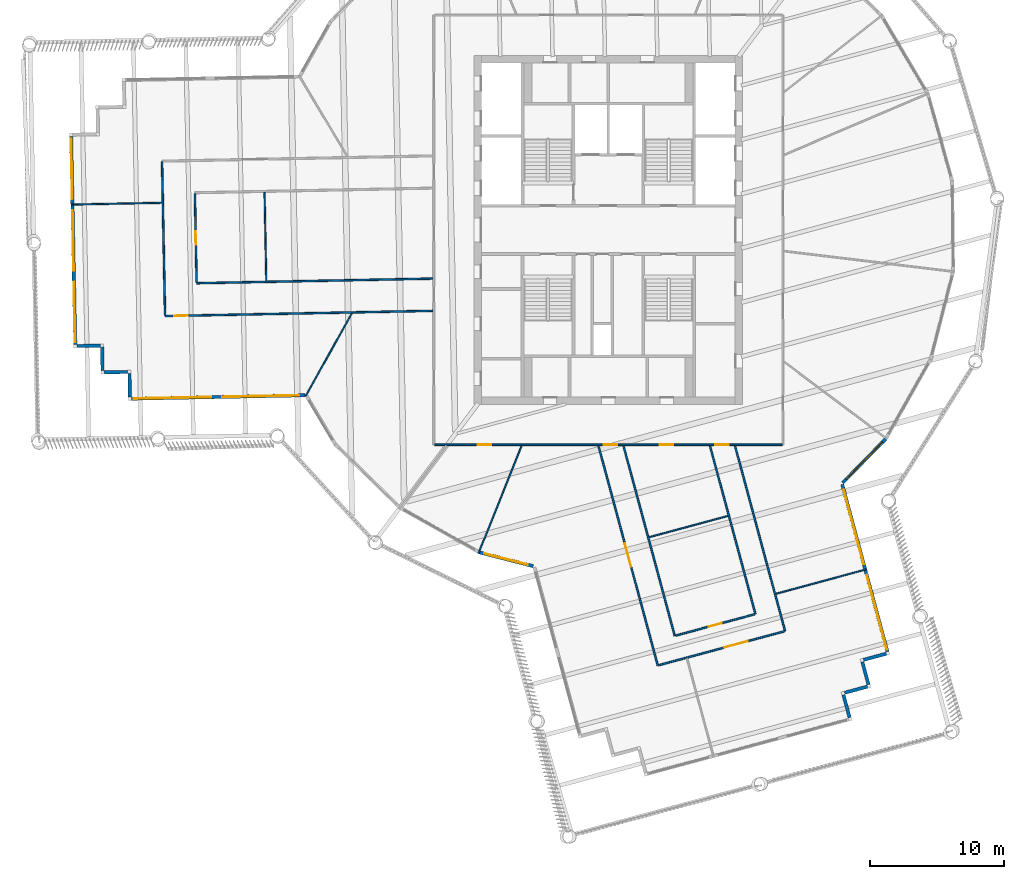
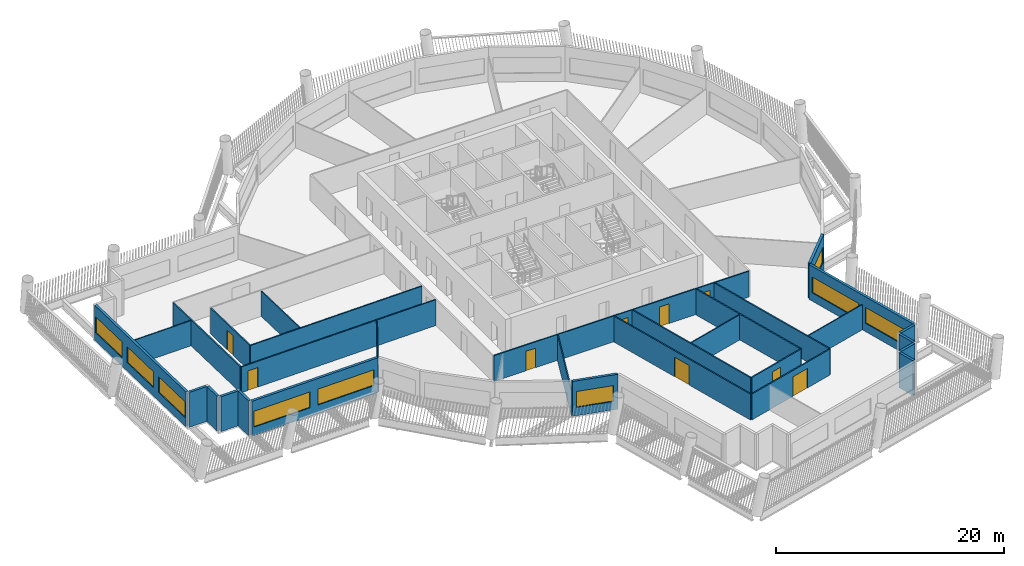
# One storey, part 3 of 15: 30 walls, 9 doors, 9 windows, 18 openings.
"""IFC4 building model written with IfcOpenShell, lengths in metres."""

from ifc_helpers import new_model, si_unit, direction, frame, frame_2d, origin, place, context, subcontext, project, spatial, rectangle, extrude, material, layer, layer_set, type_object, element, fill, save


model = new_model("IFC4")

# Units and contexts
model_context = context("Model", 3, precision=1e-05, world=origin(), true_north=direction((0.0, 1.0)))
body_context = subcontext(model_context, "Body", "Model", "MODEL_VIEW")
ifc_project = project(units=[si_unit("LENGTHUNIT", "METRE"), si_unit("AREAUNIT", "SQUARE_METRE"), si_unit("VOLUMEUNIT", "CUBIC_METRE"), si_unit("PLANEANGLEUNIT", "RADIAN"), si_unit("MASSUNIT", "GRAM", prefix="KILO")], contexts=[model_context])

# Site, building, storey
site_placement = place(None, origin())
site = spatial("IfcSite", under=ifc_project, at=site_placement, CompositionType="ELEMENT")
building_placement = place(site_placement, origin())
building = spatial("IfcBuilding", under=site, at=building_placement, Name="Tarsis Ring Headquarters", CompositionType="ELEMENT")
storey_placement = place(building_placement, frame((0.0, 0.0, 290.300048828125)))
storey = spatial("IfcBuildingStorey", under=building, at=storey_placement, Name="L68", CompositionType="ELEMENT", Elevation=290.300048828125)

# Walls
ifc_material_1 = material(Name="Gypsum board on steel studs", Category="steel")
ifc_layer_1 = layer(ifc_material_1, 0.10009765625)
ifc_layer_set_1 = layer_set([ifc_layer_1], Name="FL partition 100 unrated")
wall_type_1 = type_object("IfcWallType", Name="FL partition 100 unrated", PredefinedType="PARTITIONING", material=ifc_layer_set_1)
wall_1_placement = place(storey_placement, frame((-9.669921875, -24.07861328125, 0.0), z_axis=(0.0, 0.0, 1.0), x_axis=(0.372673744241, 0.927962434775, 0.0)))
element("IfcWall", 1, at=wall_1_placement, inside=storey, type_object=wall_type_1, Name="Partition PW3", PredefinedType="PARTITIONING", context=body_context, shape_type="SweptSolid", body=[
    extrude(rectangle(XDim=8.625732421875, YDim=0.10009765625, at=frame_2d((4.31298828125, 0.0))), origin(), (0.0, 0.0, 1.0), 2.699951171875),
])
wall_2_placement = place(storey_placement, frame((-22.541748046875, -12.367919921875, 0.0), z_axis=(0.0, 0.0, 1.0), x_axis=(0.486786174792, 0.873521161754, 0.0)))
element("IfcWall", 2, at=wall_2_placement, inside=storey, type_object=wall_type_1, Name="Partition PW3", PredefinedType="PARTITIONING", context=body_context, shape_type="SweptSolid", body=[
    extrude(rectangle(XDim=7.032470703125, YDim=0.10009765625, at=frame_2d((3.51611328125, 0.0))), origin(), (0.0, 0.0, 1.0), 2.699951171875),
])
wall_3_placement = place(storey_placement, frame((12.481689453125, -27.1025390625, 0.0), z_axis=(0.0, 0.0, 1.0), x_axis=(0.965377936946, 0.260855206692, 0.0)))
element("IfcWall", 3, at=wall_3_placement, inside=storey, type_object=wall_type_1, Name="Partition PW3", PredefinedType="PARTITIONING", context=body_context, shape_type="SweptSolid", body=[
    extrude(rectangle(XDim=6.9697265625, YDim=0.10009765625, at=frame_2d((3.48486328125, 0.0))), origin(), (0.0, 0.0, 1.0), 2.699951171875),
])
wall_4_placement = place(storey_placement, frame((-25.609619140625, 2.800048828125, 0.0), z_axis=(0.0, 0.0, 1.0), x_axis=(0.01953084785, -0.999809254799, 0.0)))
element("IfcWall", 4, at=wall_4_placement, inside=storey, type_object=wall_type_1, Name="Partition PW3", PredefinedType="PARTITIONING", context=body_context, shape_type="SweptSolid", body=[
    extrude(rectangle(XDim=6.60009765625, YDim=0.10009765625, at=frame_2d((3.300048828125, 0.0))), origin(), (0.0, 0.0, 1.0), 2.699951171875),
])
wall_5_placement = place(storey_placement, frame((-39.99462890625, 1.888671875, 0.0), z_axis=(0.0, 0.0, 1.0), x_axis=(0.999808683787, 0.019560056853, 0.0)))
element("IfcWall", 5, at=wall_5_placement, inside=storey, type_object=wall_type_1, Name="Partition PW3", PredefinedType="PARTITIONING", context=body_context, shape_type="SweptSolid", body=[
    extrude(rectangle(XDim=6.739990234375, YDim=0.10009765625, at=frame_2d((3.3701171875, 0.0))), origin(), (0.0, 0.0, 1.0), 2.699951171875),
])
wall_6_placement = place(storey_placement, frame((3.035888671875, -22.890380859375, 0.0), z_axis=(0.0, 0.0, 1.0), x_axis=(0.965392088426, 0.26080282898, 0.0)))
element("IfcWall", 6, at=wall_6_placement, inside=storey, type_object=wall_type_1, Name="Partition PW3", PredefinedType="PARTITIONING", context=body_context, shape_type="SweptSolid", body=[
    extrude(rectangle(XDim=6.080078125, YDim=0.10009765625, at=frame_2d((3.0400390625, 0.0))), origin(), (0.0, 0.0, 1.0), 2.699951171875),
])

# Wall, openings, doors
ifc_layer_2 = layer(ifc_material_1, 0.125)
ifc_layer_set_2 = layer_set([ifc_layer_2], Name="FL partition 125 EI 60 H2770")
wall_type_2 = type_object("IfcWallType", Name="FL partition 125 EI 60 H2770", PredefinedType="PARTITIONING", material=ifc_layer_set_2)
wall_7_placement = place(storey_placement, frame((-12.93994140625, -16.0, 0.0), z_axis=(0.0, 0.0, 1.0), x_axis=(1.0, 0.0, 0.0)))
wall_7 = element("IfcWall", 7, at=wall_7_placement, inside=storey, type_object=wall_type_2, Name="Partition PW1", PredefinedType="PARTITIONING", context=body_context, shape_type="SweptSolid", body=[
    extrude(rectangle(XDim=25.8798828125, YDim=0.125, at=frame_2d((12.93994140625, 0.0))), origin(), (0.0, 0.0, 1.0), 2.77001953125),
])
opening_1_placement = place(wall_7_placement, frame((3.22509765625, 0.0, 0.0)))
opening_1 = element("IfcOpeningElement", 8, at=opening_1_placement, cuts=wall_7, Name="Opening D68.13", PredefinedType="OPENING", context=body_context, shape_type="SweptSolid", body=[
    extrude(rectangle(XDim=1.0, YDim=2.10009765625, at=frame_2d((0.5, 1.050048828125))), frame((0.0, 0.072509765625, 0.0), z_axis=(0.0, -1.0, 0.0), x_axis=(1.0, 0.0, 0.0)), (0.0, 0.0, 1.0), 0.14501953125),
])
opening_2_placement = place(wall_7_placement, frame((16.76318359375, 0.0, 0.0)))
opening_2 = element("IfcOpeningElement", 9, at=opening_2_placement, cuts=wall_7, Name="Opening D68.17", PredefinedType="OPENING", context=body_context, shape_type="SweptSolid", body=[
    extrude(rectangle(XDim=1.0, YDim=2.10009765625, at=frame_2d((0.5, 1.050048828125))), frame((0.0, 0.072509765625, 0.0), z_axis=(0.0, -1.0, 0.0), x_axis=(1.0, 0.0, 0.0)), (0.0, 0.0, 1.0), 0.14501953125),
])
opening_3_placement = place(wall_7_placement, frame((12.609375, 0.0, 0.0)))
opening_3 = element("IfcOpeningElement", 10, at=opening_3_placement, cuts=wall_7, Name="Opening D68.19", PredefinedType="OPENING", context=body_context, shape_type="SweptSolid", body=[
    extrude(rectangle(XDim=1.0, YDim=2.10009765625, at=frame_2d((0.5, 1.050048828125))), frame((0.0, 0.072509765625, 0.0), z_axis=(0.0, -1.0, 0.0), x_axis=(1.0, 0.0, 0.0)), (0.0, 0.0, 1.0), 0.14501953125),
])
opening_4_placement = place(wall_7_placement, frame((20.9169921875, 0.0, 0.0)))
opening_4 = element("IfcOpeningElement", 11, at=opening_4_placement, cuts=wall_7, Name="Opening D68.20", PredefinedType="OPENING", context=body_context, shape_type="SweptSolid", body=[
    extrude(rectangle(XDim=1.0, YDim=2.10009765625, at=frame_2d((0.5, 1.050048828125))), frame((0.0, 0.072509765625, 0.0), z_axis=(0.0, -1.0, 0.0), x_axis=(1.0, 0.0, 0.0)), (0.0, 0.0, 1.0), 0.14501953125),
])
ifc_material_2 = material(Name="Fire-rated timber door leaf in steel frame", Category="steel")
door_type_1 = type_object("IfcDoorType", Name="FL door FD60-1000", OperationType="NOTDEFINED", PredefinedType="DOOR", material=ifc_material_2)
door_1_placement = place(opening_1_placement, origin())
door_1 = element("IfcDoor", 12, at=door_1_placement, inside=storey, type_object=door_type_1, Name="Door D68.13", OperationType="SINGLE_SWING_LEFT", OverallHeight=2.10009765625, OverallWidth=1.0, PredefinedType="DOOR", context=body_context, shape_type="SweptSolid", body=[
    extrude(rectangle(XDim=1.0, YDim=2.10009765625, at=frame_2d((0.5, 1.050048828125))), frame((0.0, 0.02490234375, 0.0), z_axis=(0.0, -1.0, 0.0), x_axis=(1.0, 0.0, 0.0)), (0.0, 0.0, 1.0), 0.050048828125),
])
fill(opening_1, door_1)
door_2_placement = place(opening_2_placement, origin())
door_2 = element("IfcDoor", 13, at=door_2_placement, inside=storey, type_object=door_type_1, Name="Door D68.17", OperationType="SINGLE_SWING_LEFT", OverallHeight=2.10009765625, OverallWidth=1.0, PredefinedType="DOOR", context=body_context, shape_type="SweptSolid", body=[
    extrude(rectangle(XDim=1.0, YDim=2.10009765625, at=frame_2d((0.5, 1.050048828125))), frame((0.0, 0.02490234375, 0.0), z_axis=(0.0, -1.0, 0.0), x_axis=(1.0, 0.0, 0.0)), (0.0, 0.0, 1.0), 0.050048828125),
])
fill(opening_2, door_2)
door_3_placement = place(opening_3_placement, origin())
door_3 = element("IfcDoor", 14, at=door_3_placement, inside=storey, type_object=door_type_1, Name="Door D68.19", OperationType="SINGLE_SWING_LEFT", OverallHeight=2.10009765625, OverallWidth=1.0, PredefinedType="DOOR", context=body_context, shape_type="SweptSolid", body=[
    extrude(rectangle(XDim=1.0, YDim=2.10009765625, at=frame_2d((0.5, 1.050048828125))), frame((0.0, 0.02490234375, 0.0), z_axis=(0.0, -1.0, 0.0), x_axis=(1.0, 0.0, 0.0)), (0.0, 0.0, 1.0), 0.050048828125),
])
fill(opening_3, door_3)
door_4_placement = place(opening_4_placement, origin())
door_4 = element("IfcDoor", 15, at=door_4_placement, inside=storey, type_object=door_type_1, Name="Door D68.20", OperationType="SINGLE_SWING_RIGHT", OverallHeight=2.10009765625, OverallWidth=1.0, PredefinedType="DOOR", context=body_context, shape_type="SweptSolid", body=[
    extrude(rectangle(XDim=1.0, YDim=2.10009765625, at=frame_2d((0.5, 1.050048828125))), frame((0.0, 0.02490234375, 0.0), z_axis=(0.0, -1.0, 0.0), x_axis=(1.0, 0.0, 0.0)), (0.0, 0.0, 1.0), 0.050048828125),
])
fill(opening_4, door_4)

# Wall, opening, door
wall_8_placement = place(storey_placement, frame((-33.02099609375, -6.416748046875, 0.0), z_axis=(0.0, 0.0, 1.0), x_axis=(0.999808859404, 0.019551078174, 0.0)))
wall_8 = element("IfcWall", 16, at=wall_8_placement, inside=storey, type_object=wall_type_2, Name="Partition PW1", PredefinedType="PARTITIONING", context=body_context, shape_type="SweptSolid", body=[
    extrude(rectangle(XDim=19.954833984375, YDim=0.125, at=frame_2d((9.9775390625, 0.0))), origin(), (0.0, 0.0, 1.0), 2.77001953125),
])
opening_5_placement = place(wall_8_placement, frame((0.699951171875, 0.0, 0.0)))
opening_5 = element("IfcOpeningElement", 17, at=opening_5_placement, cuts=wall_8, Name="Opening D68.01", PredefinedType="OPENING", context=body_context, shape_type="SweptSolid", body=[
    extrude(rectangle(XDim=1.0, YDim=2.10009765625, at=frame_2d((0.5, 1.050048828125))), frame((0.0, 0.072509765625, 0.0), z_axis=(0.0, -1.0, 0.0), x_axis=(1.0, 0.0, 0.0)), (0.0, 0.0, 1.0), 0.14501953125),
])
door_5_placement = place(opening_5_placement, origin())
door_5 = element("IfcDoor", 18, at=door_5_placement, inside=storey, type_object=door_type_1, Name="Door D68.01", OperationType="SINGLE_SWING_LEFT", OverallHeight=2.10009765625, OverallWidth=1.0, PredefinedType="DOOR", context=body_context, shape_type="SweptSolid", body=[
    extrude(rectangle(XDim=1.0, YDim=2.10009765625, at=frame_2d((0.5, 1.050048828125))), frame((0.0, 0.02490234375, 0.0), z_axis=(0.0, -1.0, 0.0), x_axis=(1.0, 0.0, 0.0)), (0.0, 0.0, 1.0), 0.050048828125),
])
fill(opening_5, door_5)

# Wall
wall_9_placement = place(storey_placement, frame((-30.668212890625, -3.97021484375, 0.0), z_axis=(0.0, 0.0, 1.0), x_axis=(0.999809008561, 0.019543449031, 0.0)))
element("IfcWall", 19, at=wall_9_placement, inside=storey, type_object=wall_type_2, Name="Partition PW1", PredefinedType="PARTITIONING", context=body_context, shape_type="SweptSolid", body=[
    extrude(rectangle(XDim=17.6015625, YDim=0.125, at=frame_2d((8.80078125, 0.0))), origin(), (0.0, 0.0, 1.0), 2.77001953125),
])

# Wall, opening, door
wall_10_placement = place(storey_placement, frame((-0.7421875, -16.0771484375, 0.0), z_axis=(0.0, 0.0, 1.0), x_axis=(0.260844097814, -0.965380938612, 0.0)))
wall_10 = element("IfcWall", 20, at=wall_10_placement, inside=storey, type_object=wall_type_2, Name="Partition PW1", PredefinedType="PARTITIONING", context=body_context, shape_type="SweptSolid", body=[
    extrude(rectangle(XDim=16.953125, YDim=0.125, at=frame_2d((8.4765625, 0.0))), origin(), (0.0, 0.0, 1.0), 2.77001953125),
])
opening_6_placement = place(wall_10_placement, frame((7.53662109375, 0.0, 0.0)))
opening_6 = element("IfcOpeningElement", 21, at=opening_6_placement, cuts=wall_10, Name="Opening D68.12", PredefinedType="OPENING", context=body_context, shape_type="SweptSolid", body=[
    extrude(rectangle(XDim=1.800048828125, YDim=2.10009765625, at=frame_2d((0.89990234375, 1.050048828125))), frame((0.0, 0.072509765625, 0.0), z_axis=(0.0, -1.0, 0.0), x_axis=(1.0, 0.0, 0.0)), (0.0, 0.0, 1.0), 0.14501953125),
])
door_type_2 = type_object("IfcDoorType", Name="FL door FD60-1800", OperationType="DOUBLE_DOOR_SINGLE_SWING", PredefinedType="DOOR", material=ifc_material_2)
door_6_placement = place(opening_6_placement, origin())
door_6 = element("IfcDoor", 22, at=door_6_placement, inside=storey, type_object=door_type_2, Name="Door D68.12", OperationType="DOUBLE_DOOR_SINGLE_SWING", OverallHeight=2.10009765625, OverallWidth=1.800048828125, PredefinedType="DOOR", context=body_context, shape_type="SweptSolid", body=[
    extrude(rectangle(XDim=1.800048828125, YDim=2.10009765625, at=frame_2d((0.89990234375, 1.050048828125))), frame((0.0, 0.02490234375, 0.0), z_axis=(0.0, -1.0, 0.0), x_axis=(1.0, 0.0, 0.0)), (0.0, 0.0, 1.0), 0.050048828125),
])
fill(opening_6, door_6)

# Walls
wall_11_placement = place(storey_placement, frame((1.12255859375, -16.0771484375, 0.0), z_axis=(0.0, 0.0, 1.0), x_axis=(0.260826428672, -0.965385712607, 0.0)))
element("IfcWall", 23, at=wall_11_placement, inside=storey, type_object=wall_type_2, Name="Partition PW1", PredefinedType="PARTITIONING", context=body_context, shape_type="SweptSolid", body=[
    extrude(rectangle(XDim=14.66650390625, YDim=0.125, at=frame_2d((7.333251953125, 0.0))), origin(), (0.0, 0.0, 1.0), 2.77001953125),
])
wall_12_placement = place(storey_placement, frame((9.43017578125, -16.0771484375, 0.0), z_axis=(0.0, 0.0, 1.0), x_axis=(0.260826889328, -0.965385588148, 0.0)))
element("IfcWall", 24, at=wall_12_placement, inside=storey, type_object=wall_type_2, Name="Partition PW1", PredefinedType="PARTITIONING", context=body_context, shape_type="SweptSolid", body=[
    extrude(rectangle(XDim=14.299560546875, YDim=0.125, at=frame_2d((7.14990234375, 0.0))), origin(), (0.0, 0.0, 1.0), 2.77001953125),
])
wall_13_placement = place(storey_placement, frame((7.5654296875, -16.0771484375, 0.0), z_axis=(0.0, 0.0, 1.0), x_axis=(0.260854569043, -0.965378109245, 0.0)))
element("IfcWall", 25, at=wall_13_placement, inside=storey, type_object=wall_type_2, Name="Partition PW1", PredefinedType="PARTITIONING", context=body_context, shape_type="SweptSolid", body=[
    extrude(rectangle(XDim=12.986083984375, YDim=0.125, at=frame_2d((6.4931640625, 0.0))), origin(), (0.0, 0.0, 1.0), 2.77001953125),
])
wall_14_placement = place(storey_placement, frame((-33.245361328125, 5.06103515625, 0.0), z_axis=(0.0, 0.0, 1.0), x_axis=(0.019539963993, -0.999809076678, 0.0)))
element("IfcWall", 26, at=wall_14_placement, inside=storey, type_object=wall_type_2, Name="Partition PW1", PredefinedType="PARTITIONING", context=body_context, shape_type="SweptSolid", body=[
    extrude(rectangle(XDim=11.419921875, YDim=0.125, at=frame_2d((5.7099609375, 0.0))), origin(), (0.0, 0.0, 1.0), 2.77001953125),
])

# Wall, opening, door
wall_15_placement = place(storey_placement, frame((3.73779296875, -32.427490234375, 0.0), z_axis=(0.0, 0.0, 1.0), x_axis=(0.965385491758, 0.260827246091, 0.0)))
wall_15 = element("IfcWall", 27, at=wall_15_placement, inside=storey, type_object=wall_type_2, Name="Partition PW1", PredefinedType="PARTITIONING", context=body_context, shape_type="SweptSolid", body=[
    extrude(rectangle(XDim=9.699951171875, YDim=0.125, at=frame_2d((4.85009765625, 0.0))), origin(), (0.0, 0.0, 1.0), 2.77001953125),
])
opening_7_placement = place(wall_15_placement, frame((5.07177734375, 0.0, 0.0)))
opening_7 = element("IfcOpeningElement", 28, at=opening_7_placement, cuts=wall_15, Name="Opening D68.11", PredefinedType="OPENING", context=body_context, shape_type="SweptSolid", body=[
    extrude(rectangle(XDim=1.800048828125, YDim=2.10009765625, at=frame_2d((0.89990234375, 1.050048828125))), frame((0.0, 0.072509765625, 0.0), z_axis=(0.0, -1.0, 0.0), x_axis=(1.0, 0.0, 0.0)), (0.0, 0.0, 1.0), 0.14501953125),
])
door_7_placement = place(opening_7_placement, origin())
door_7 = element("IfcDoor", 29, at=door_7_placement, inside=storey, type_object=door_type_2, Name="Door D68.11", OperationType="DOUBLE_DOOR_SINGLE_SWING", OverallHeight=2.10009765625, OverallWidth=1.800048828125, PredefinedType="DOOR", context=body_context, shape_type="SweptSolid", body=[
    extrude(rectangle(XDim=1.800048828125, YDim=2.10009765625, at=frame_2d((0.89990234375, 1.050048828125))), frame((0.0, 0.02490234375, 0.0), z_axis=(0.0, -1.0, 0.0), x_axis=(1.0, 0.0, 0.0)), (0.0, 0.0, 1.0), 0.050048828125),
])
fill(opening_7, door_7)

wall_16_placement = place(storey_placement, frame((-30.798828125, 2.70849609375, 0.0), z_axis=(0.0, 0.0, 1.0), x_axis=(0.019546246608, -0.999808953872, 0.0)))
wall_16 = element("IfcWall", 30, at=wall_16_placement, inside=storey, type_object=wall_type_2, Name="Partition PW1", PredefinedType="PARTITIONING", context=body_context, shape_type="SweptSolid", body=[
    extrude(rectangle(XDim=6.619873046875, YDim=0.125, at=frame_2d((3.31005859375, 0.0))), origin(), (0.0, 0.0, 1.0), 2.77001953125),
])
opening_8_placement = place(wall_16_placement, frame((2.81005859375, 0.0, 0.0)))
opening_8 = element("IfcOpeningElement", 31, at=opening_8_placement, cuts=wall_16, Name="Opening D68.16", PredefinedType="OPENING", context=body_context, shape_type="SweptSolid", body=[
    extrude(rectangle(XDim=1.0, YDim=2.10009765625, at=frame_2d((0.5, 1.050048828125))), frame((0.0, 0.072509765625, 0.0), z_axis=(0.0, -1.0, 0.0), x_axis=(1.0, 0.0, 0.0)), (0.0, 0.0, 1.0), 0.14501953125),
])
door_8_placement = place(opening_8_placement, origin())
door_8 = element("IfcDoor", 32, at=door_8_placement, inside=storey, type_object=door_type_1, Name="Door D68.16", OperationType="SINGLE_SWING_RIGHT", OverallHeight=2.10009765625, OverallWidth=1.0, PredefinedType="DOOR", context=body_context, shape_type="SweptSolid", body=[
    extrude(rectangle(XDim=1.0, YDim=2.10009765625, at=frame_2d((0.5, 1.050048828125))), frame((0.0, 0.02490234375, 0.0), z_axis=(0.0, -1.0, 0.0), x_axis=(1.0, 0.0, 0.0)), (0.0, 0.0, 1.0), 0.050048828125),
])
fill(opening_8, door_8)

wall_17_placement = place(storey_placement, frame((5.006103515625, -30.220458984375, 0.0), z_axis=(0.0, 0.0, 1.0), x_axis=(0.965385457864, 0.260827371539, 0.0)))
wall_17 = element("IfcWall", 33, at=wall_17_placement, inside=storey, type_object=wall_type_2, Name="Partition PW1", PredefinedType="PARTITIONING", context=body_context, shape_type="SweptSolid", body=[
    extrude(rectangle(XDim=6.10009765625, YDim=0.125, at=frame_2d((3.050048828125, 0.0))), origin(), (0.0, 0.0, 1.0), 2.77001953125),
])
opening_9_placement = place(wall_17_placement, frame((2.550048828125, 0.0, 0.0)))
opening_9 = element("IfcOpeningElement", 34, at=opening_9_placement, cuts=wall_17, Name="Opening D68.18", PredefinedType="OPENING", context=body_context, shape_type="SweptSolid", body=[
    extrude(rectangle(XDim=1.0, YDim=2.10009765625, at=frame_2d((0.5, 1.050048828125))), frame((0.0, 0.072509765625, 0.0), z_axis=(0.0, -1.0, 0.0), x_axis=(1.0, 0.0, 0.0)), (0.0, 0.0, 1.0), 0.14501953125),
])
door_9_placement = place(opening_9_placement, origin())
door_9 = element("IfcDoor", 35, at=door_9_placement, inside=storey, type_object=door_type_1, Name="Door D68.18", OperationType="SINGLE_SWING_RIGHT", OverallHeight=2.10009765625, OverallWidth=1.0, PredefinedType="DOOR", context=body_context, shape_type="SweptSolid", body=[
    extrude(rectangle(XDim=1.0, YDim=2.10009765625, at=frame_2d((0.5, 1.050048828125))), frame((0.0, 0.02490234375, 0.0), z_axis=(0.0, -1.0, 0.0), x_axis=(1.0, 0.0, 0.0)), (0.0, 0.0, 1.0), 0.050048828125),
])
fill(opening_9, door_9)

# Wall, openings, windows
ifc_material_3 = material(Name="Terracotta clad insulated panel wall", Category="masonry")
ifc_layer_3 = layer(ifc_material_3, 0.25)
ifc_layer_set_3 = layer_set([ifc_layer_3], Name="Facade wall terracotta panel 250")
wall_type_3 = type_object("IfcWallType", Name="Facade wall terracotta panel 250", PredefinedType="STANDARD", material=ifc_layer_set_3)
wall_18_placement = place(storey_placement, frame((-35.510986328125, -12.571533203125, 0.0), z_axis=(0.0, 0.0, 1.0), x_axis=(0.999808786178, 0.019554822436, 0.0)))
wall_18 = element("IfcWall", 36, at=wall_18_placement, inside=storey, type_object=wall_type_3, Name="External wall L68-01", PredefinedType="STANDARD", context=body_context, shape_type="SweptSolid", body=[
    extrude(rectangle(XDim=12.921875, YDim=0.25, at=frame_2d((6.4609375, 0.0))), origin(), (0.0, 0.0, 1.0), 3.739990234375),
])
opening_10_placement = place(wall_18_placement, frame((0.16796875, 0.0, 0.89990234375)))
opening_10 = element("IfcOpeningElement", 37, at=opening_10_placement, cuts=wall_18, Name="Opening WN06", PredefinedType="OPENING", context=body_context, shape_type="SweptSolid", body=[
    extrude(rectangle(XDim=5.75, YDim=1.699951171875, at=frame_2d((2.875, 0.85009765625))), frame((0.0, 0.135009765625, 0.0), z_axis=(0.0, -1.0, 0.0), x_axis=(1.0, 0.0, 0.0)), (0.0, 0.0, 1.0), 0.27001953125),
])
opening_11_placement = place(wall_18_placement, frame((6.75390625, 0.0, 0.89990234375)))
opening_11 = element("IfcOpeningElement", 38, at=opening_11_placement, cuts=wall_18, Name="Opening WN06", PredefinedType="OPENING", context=body_context, shape_type="SweptSolid", body=[
    extrude(rectangle(XDim=5.75, YDim=1.699951171875, at=frame_2d((2.875, 0.85009765625))), frame((0.0, 0.135009765625, 0.0), z_axis=(0.0, -1.0, 0.0), x_axis=(1.0, 0.0, 0.0)), (0.0, 0.0, 1.0), 0.27001953125),
])
ifc_material_4 = material(Name="Aluminium framed double glazing", Category="aluminium")
window_type_1 = type_object("IfcWindowType", Name="Facade window 5750 x 1700", PartitioningType="SINGLE_PANEL", PredefinedType="WINDOW", material=ifc_material_4)
window_1_placement = place(opening_10_placement, origin())
window_1 = element("IfcWindow", 39, at=window_1_placement, inside=storey, type_object=window_type_1, Name="Window L68-01.1", OverallHeight=1.699951171875, OverallWidth=5.75, PartitioningType="SINGLE_PANEL", PredefinedType="WINDOW", context=body_context, shape_type="SweptSolid", body=[
    extrude(rectangle(XDim=5.75, YDim=1.699951171875, at=frame_2d((2.875, 0.85009765625))), frame((0.0, 0.030029296875, 0.0), z_axis=(0.0, -1.0, 0.0), x_axis=(1.0, 0.0, 0.0)), (0.0, 0.0, 1.0), 0.06005859375),
])
fill(opening_10, window_1)
window_2_placement = place(opening_11_placement, origin())
window_2 = element("IfcWindow", 40, at=window_2_placement, inside=storey, type_object=window_type_1, Name="Window L68-01.2", OverallHeight=1.699951171875, OverallWidth=5.75, PartitioningType="SINGLE_PANEL", PredefinedType="WINDOW", context=body_context, shape_type="SweptSolid", body=[
    extrude(rectangle(XDim=5.75, YDim=1.699951171875, at=frame_2d((2.875, 0.85009765625))), frame((0.0, 0.030029296875, 0.0), z_axis=(0.0, -1.0, 0.0), x_axis=(1.0, 0.0, 0.0)), (0.0, 0.0, 1.0), 0.06005859375),
])
fill(opening_11, window_2)

# Wall, opening, window
wall_19_placement = place(storey_placement, frame((-9.626220703125, -24.01416015625, 0.0), z_axis=(0.0, 0.0, 1.0), x_axis=(0.968670748936, -0.248348505441, 0.0)))
wall_19 = element("IfcWall", 41, at=wall_19_placement, inside=storey, type_object=wall_type_3, Name="External wall L68-05", PredefinedType="STANDARD", context=body_context, shape_type="SweptSolid", body=[
    extrude(rectangle(XDim=4.1572265625, YDim=0.25, at=frame_2d((2.07861328125, 0.0))), origin(), (0.0, 0.0, 1.0), 3.739990234375),
])
opening_12_placement = place(wall_19_placement, frame((0.38720703125, 0.0, 0.89990234375)))
opening_12 = element("IfcOpeningElement", 42, at=opening_12_placement, cuts=wall_19, Name="Opening WN01", PredefinedType="OPENING", context=body_context, shape_type="SweptSolid", body=[
    extrude(rectangle(XDim=3.35009765625, YDim=1.699951171875, at=frame_2d((1.675048828125, 0.85009765625))), frame((0.0, 0.135009765625, 0.0), z_axis=(0.0, -1.0, 0.0), x_axis=(1.0, 0.0, 0.0)), (0.0, 0.0, 1.0), 0.27001953125),
])
window_type_2 = type_object("IfcWindowType", Name="Facade window 3350 x 1700", PartitioningType="SINGLE_PANEL", PredefinedType="WINDOW", material=ifc_material_4)
window_3_placement = place(opening_12_placement, origin())
window_3 = element("IfcWindow", 43, at=window_3_placement, inside=storey, type_object=window_type_2, Name="Window L68-05.1", OverallHeight=1.699951171875, OverallWidth=3.35009765625, PartitioningType="SINGLE_PANEL", PredefinedType="WINDOW", context=body_context, shape_type="SweptSolid", body=[
    extrude(rectangle(XDim=3.35009765625, YDim=1.699951171875, at=frame_2d((1.675048828125, 0.85009765625))), frame((0.0, 0.030029296875, 0.0), z_axis=(0.0, -1.0, 0.0), x_axis=(1.0, 0.0, 0.0)), (0.0, 0.0, 1.0), 0.06005859375),
])
fill(opening_12, window_3)

# Walls
wall_20_placement = place(storey_placement, frame((17.970947265625, -36.31982421875, 0.0), z_axis=(0.0, 0.0, 1.0), x_axis=(-0.260873887626, 0.965372888968, 0.0)))
element("IfcWall", 44, at=wall_20_placement, inside=storey, type_object=wall_type_3, Name="External wall L68-12", PredefinedType="STANDARD", context=body_context, shape_type="SweptSolid", body=[
    extrude(rectangle(XDim=1.75, YDim=0.25, at=frame_2d((0.875, 0.0))), origin(), (0.0, 0.0, 1.0), 3.739990234375),
])
wall_21_placement = place(storey_placement, frame((17.6025390625, -34.47705078125, 0.0), z_axis=(0.0, 0.0, 1.0), x_axis=(0.965363393028, 0.260909025143, 0.0)))
element("IfcWall", 45, at=wall_21_placement, inside=storey, type_object=wall_type_3, Name="External wall L68-13", PredefinedType="STANDARD", context=body_context, shape_type="SweptSolid", body=[
    extrude(rectangle(XDim=1.749755859375, YDim=0.25, at=frame_2d((0.875, 0.0))), origin(), (0.0, 0.0, 1.0), 3.739990234375),
])
for number, where, z_axis, x_axis, name in (
    (46, (19.3798828125, -33.867431640625, 0.0), (0.0, 0.0, 1.0), (-0.260873887626, 0.965372888968, 0.0), "External wall L68-14"),
    (47, (19.011474609375, -32.024658203125, 0.0), (0.0, 0.0, 1.0), (0.965372888968, 0.260873887626, 0.0), "External wall L68-15"),
):
    element("IfcWall", number, at=place(storey_placement, frame(where, z_axis=z_axis, x_axis=x_axis)), inside=storey, type_object=wall_type_3, Name=name, PredefinedType="STANDARD", context=body_context, shape_type="SweptSolid", body=[
        extrude(rectangle(XDim=1.75, YDim=0.25, at=frame_2d((0.875, 0.0))), origin(), (0.0, 0.0, 1.0), 3.739990234375),
    ])

# Wall, openings, windows
wall_22_placement = place(storey_placement, frame((20.7890625, -31.414794921875, 0.0), z_axis=(0.0, 0.0, 1.0), x_axis=(-0.26084610832, 0.965380395375, 0.0)))
wall_22 = element("IfcWall", 48, at=wall_22_placement, inside=storey, type_object=wall_type_3, Name="External wall L68-16", PredefinedType="STANDARD", context=body_context, shape_type="SweptSolid", body=[
    extrude(rectangle(XDim=12.901123046875, YDim=0.25, at=frame_2d((6.45068359375, 0.0))), origin(), (0.0, 0.0, 1.0), 3.739990234375),
])
opening_13_placement = place(wall_22_placement, frame((0.162841796875, 0.0, 0.89990234375)))
opening_13 = element("IfcOpeningElement", 49, at=opening_13_placement, cuts=wall_22, Name="Opening WN06", PredefinedType="OPENING", context=body_context, shape_type="SweptSolid", body=[
    extrude(rectangle(XDim=5.75, YDim=1.699951171875, at=frame_2d((2.875, 0.85009765625))), frame((0.0, 0.135009765625, 0.0), z_axis=(0.0, -1.0, 0.0), x_axis=(1.0, 0.0, 0.0)), (0.0, 0.0, 1.0), 0.27001953125),
])
opening_14_placement = place(wall_22_placement, frame((6.738525390625, 0.0, 0.89990234375)))
opening_14 = element("IfcOpeningElement", 50, at=opening_14_placement, cuts=wall_22, Name="Opening WN06", PredefinedType="OPENING", context=body_context, shape_type="SweptSolid", body=[
    extrude(rectangle(XDim=5.75, YDim=1.699951171875, at=frame_2d((2.875, 0.85009765625))), frame((0.0, 0.135009765625, 0.0), z_axis=(0.0, -1.0, 0.0), x_axis=(1.0, 0.0, 0.0)), (0.0, 0.0, 1.0), 0.27001953125),
])
window_4_placement = place(opening_13_placement, origin())
window_4 = element("IfcWindow", 51, at=window_4_placement, inside=storey, type_object=window_type_1, Name="Window L68-16.1", OverallHeight=1.699951171875, OverallWidth=5.75, PartitioningType="SINGLE_PANEL", PredefinedType="WINDOW", context=body_context, shape_type="SweptSolid", body=[
    extrude(rectangle(XDim=5.75, YDim=1.699951171875, at=frame_2d((2.875, 0.85009765625))), frame((0.0, 0.030029296875, 0.0), z_axis=(0.0, -1.0, 0.0), x_axis=(1.0, 0.0, 0.0)), (0.0, 0.0, 1.0), 0.06005859375),
])
fill(opening_13, window_4)
window_5_placement = place(opening_14_placement, origin())
window_5 = element("IfcWindow", 52, at=window_5_placement, inside=storey, type_object=window_type_1, Name="Window L68-16.2", OverallHeight=1.699951171875, OverallWidth=5.75, PartitioningType="SINGLE_PANEL", PredefinedType="WINDOW", context=body_context, shape_type="SweptSolid", body=[
    extrude(rectangle(XDim=5.75, YDim=1.699951171875, at=frame_2d((2.875, 0.85009765625))), frame((0.0, 0.030029296875, 0.0), z_axis=(0.0, -1.0, 0.0), x_axis=(1.0, 0.0, 0.0)), (0.0, 0.0, 1.0), 0.06005859375),
])
fill(opening_14, window_5)

# Wall, opening, window
wall_23_placement = place(storey_placement, frame((17.455078125, -18.840087890625, 0.0), z_axis=(0.0, 0.0, 1.0), x_axis=(0.699425700993, 0.71470531605, 0.0)))
wall_23 = element("IfcWall", 53, at=wall_23_placement, inside=storey, type_object=wall_type_3, Name="External wall L68-17", PredefinedType="STANDARD", context=body_context, shape_type="SweptSolid", body=[
    extrude(rectangle(XDim=4.61767578125, YDim=0.25, at=frame_2d((2.308837890625, 0.0))), origin(), (0.0, 0.0, 1.0), 3.739990234375),
])
opening_15_placement = place(wall_23_placement, frame((0.400390625, 0.0, 0.89990234375)))
opening_15 = element("IfcOpeningElement", 54, at=opening_15_placement, cuts=wall_23, Name="Opening WN02", PredefinedType="OPENING", context=body_context, shape_type="SweptSolid", body=[
    extrude(rectangle(XDim=3.85009765625, YDim=1.699951171875, at=frame_2d((1.925048828125, 0.85009765625))), frame((0.0, 0.135009765625, 0.0), z_axis=(0.0, -1.0, 0.0), x_axis=(1.0, 0.0, 0.0)), (0.0, 0.0, 1.0), 0.27001953125),
])
window_type_3 = type_object("IfcWindowType", Name="Facade window 3850 x 1700", PartitioningType="SINGLE_PANEL", PredefinedType="WINDOW", material=ifc_material_4)
window_6_placement = place(opening_15_placement, origin())
window_6 = element("IfcWindow", 55, at=window_6_placement, inside=storey, type_object=window_type_3, Name="Window L68-17.1", OverallHeight=1.699951171875, OverallWidth=3.85009765625, PartitioningType="SINGLE_PANEL", PredefinedType="WINDOW", context=body_context, shape_type="SweptSolid", body=[
    extrude(rectangle(XDim=3.85009765625, YDim=1.699951171875, at=frame_2d((1.925048828125, 0.85009765625))), frame((0.0, 0.030029296875, 0.0), z_axis=(0.0, -1.0, 0.0), x_axis=(1.0, 0.0, 0.0)), (0.0, 0.0, 1.0), 0.06005859375),
])
fill(opening_15, window_6)

# Wall, openings, windows
wall_24_placement = place(storey_placement, frame((-40.018798828125, 6.968994140625, 0.0), z_axis=(0.0, 0.0, 1.0), x_axis=(0.019547268798, -0.999808933888, 0.0)))
wall_24 = element("IfcWall", 56, at=wall_24_placement, inside=storey, type_object=wall_type_3, Name="External wall L68-36", PredefinedType="STANDARD", context=body_context, shape_type="SweptSolid", body=[
    extrude(rectangle(XDim=15.499755859375, YDim=0.25, at=frame_2d((7.75, 0.0))), origin(), (0.0, 0.0, 1.0), 3.739990234375),
])
opening_16_placement = place(wall_24_placement, frame((0.166748046875, 0.0, 0.89990234375)))
opening_16 = element("IfcOpeningElement", 57, at=opening_16_placement, cuts=wall_24, Name="Opening WN04", PredefinedType="OPENING", context=body_context, shape_type="SweptSolid", body=[
    extrude(rectangle(XDim=4.5, YDim=1.699951171875, at=frame_2d((2.25, 0.85009765625))), frame((0.0, 0.135009765625, 0.0), z_axis=(0.0, -1.0, 0.0), x_axis=(1.0, 0.0, 0.0)), (0.0, 0.0, 1.0), 0.27001953125),
])
opening_17_placement = place(wall_24_placement, frame((5.5, 0.0, 0.89990234375)))
opening_17 = element("IfcOpeningElement", 58, at=opening_17_placement, cuts=wall_24, Name="Opening WN04", PredefinedType="OPENING", context=body_context, shape_type="SweptSolid", body=[
    extrude(rectangle(XDim=4.5, YDim=1.699951171875, at=frame_2d((2.25, 0.85009765625))), frame((0.0, 0.135009765625, 0.0), z_axis=(0.0, -1.0, 0.0), x_axis=(1.0, 0.0, 0.0)), (0.0, 0.0, 1.0), 0.27001953125),
])
opening_18_placement = place(wall_24_placement, frame((10.833251953125, 0.0, 0.89990234375)))
opening_18 = element("IfcOpeningElement", 59, at=opening_18_placement, cuts=wall_24, Name="Opening WN04", PredefinedType="OPENING", context=body_context, shape_type="SweptSolid", body=[
    extrude(rectangle(XDim=4.5, YDim=1.699951171875, at=frame_2d((2.25, 0.85009765625))), frame((0.0, 0.135009765625, 0.0), z_axis=(0.0, -1.0, 0.0), x_axis=(1.0, 0.0, 0.0)), (0.0, 0.0, 1.0), 0.27001953125),
])
window_type_4 = type_object("IfcWindowType", Name="Facade window 4500 x 1700", PartitioningType="SINGLE_PANEL", PredefinedType="WINDOW", material=ifc_material_4)
window_7_placement = place(opening_16_placement, origin())
window_7 = element("IfcWindow", 60, at=window_7_placement, inside=storey, type_object=window_type_4, Name="Window L68-36.1", OverallHeight=1.699951171875, OverallWidth=4.5, PartitioningType="SINGLE_PANEL", PredefinedType="WINDOW", context=body_context, shape_type="SweptSolid", body=[
    extrude(rectangle(XDim=4.5, YDim=1.699951171875, at=frame_2d((2.25, 0.85009765625))), frame((0.0, 0.030029296875, 0.0), z_axis=(0.0, -1.0, 0.0), x_axis=(1.0, 0.0, 0.0)), (0.0, 0.0, 1.0), 0.06005859375),
])
fill(opening_16, window_7)
window_8_placement = place(opening_17_placement, origin())
window_8 = element("IfcWindow", 61, at=window_8_placement, inside=storey, type_object=window_type_4, Name="Window L68-36.2", OverallHeight=1.699951171875, OverallWidth=4.5, PartitioningType="SINGLE_PANEL", PredefinedType="WINDOW", context=body_context, shape_type="SweptSolid", body=[
    extrude(rectangle(XDim=4.5, YDim=1.699951171875, at=frame_2d((2.25, 0.85009765625))), frame((0.0, 0.030029296875, 0.0), z_axis=(0.0, -1.0, 0.0), x_axis=(1.0, 0.0, 0.0)), (0.0, 0.0, 1.0), 0.06005859375),
])
fill(opening_17, window_8)
window_9_placement = place(opening_18_placement, origin())
window_9 = element("IfcWindow", 62, at=window_9_placement, inside=storey, type_object=window_type_4, Name="Window L68-36.3", OverallHeight=1.699951171875, OverallWidth=4.5, PartitioningType="SINGLE_PANEL", PredefinedType="WINDOW", context=body_context, shape_type="SweptSolid", body=[
    extrude(rectangle(XDim=4.5, YDim=1.699951171875, at=frame_2d((2.25, 0.85009765625))), frame((0.0, 0.030029296875, 0.0), z_axis=(0.0, -1.0, 0.0), x_axis=(1.0, 0.0, 0.0)), (0.0, 0.0, 1.0), 0.06005859375),
])
fill(opening_18, window_9)

# Walls
wall_25_placement = place(storey_placement, frame((-39.58837890625, -8.650390625, 0.0), z_axis=(0.0, 0.0, 1.0), x_axis=(0.999809213269, 0.019532973745, 0.0)))
element("IfcWall", 63, at=wall_25_placement, inside=storey, type_object=wall_type_3, Name="External wall L68-37", PredefinedType="STANDARD", context=body_context, shape_type="SweptSolid", body=[
    extrude(rectangle(XDim=1.749755859375, YDim=0.25, at=frame_2d((0.875, 0.0))), origin(), (0.0, 0.0, 1.0), 3.739990234375),
])
for number, where, z_axis, x_axis, name in (
    (64, (-37.71142578125, -8.73876953125, 0.0), (0.0, 0.0, 1.0), (0.01953024938, -0.99980926649, 0.0), "External wall L68-38"),
    (65, (-37.5498046875, -10.611083984375, 0.0), (0.0, 0.0, 1.0), (0.99980926649, 0.01953024938, 0.0), "External wall L68-39"),
    (66, (-35.672607421875, -10.69921875, 0.0), (0.0, 0.0, 1.0), (0.01953024938, -0.99980926649, 0.0), "External wall L68-40"),
):
    element("IfcWall", number, at=place(storey_placement, frame(where, z_axis=z_axis, x_axis=x_axis)), inside=storey, type_object=wall_type_3, Name=name, PredefinedType="STANDARD", context=body_context, shape_type="SweptSolid", body=[
        extrude(rectangle(XDim=1.75, YDim=0.25, at=frame_2d((0.875, 0.0))), origin(), (0.0, 0.0, 1.0), 3.739990234375),
    ])

save(model, "model.ifc")
